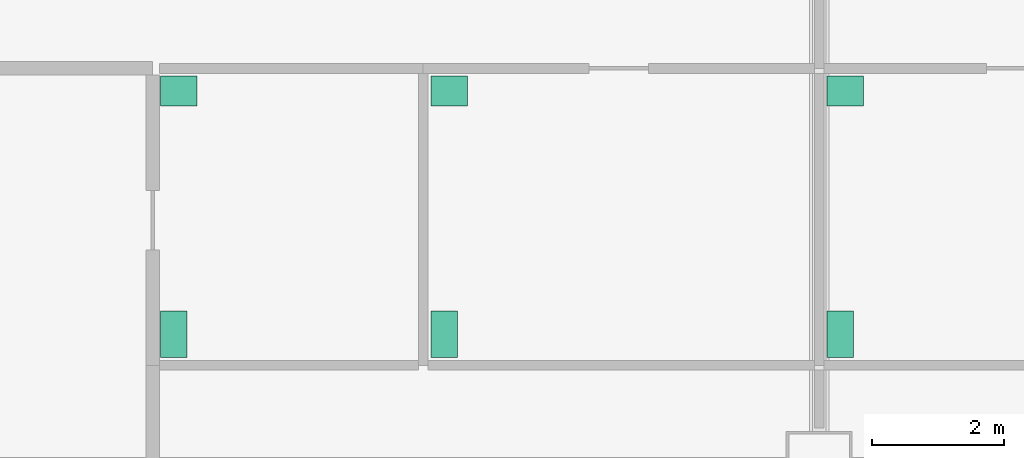
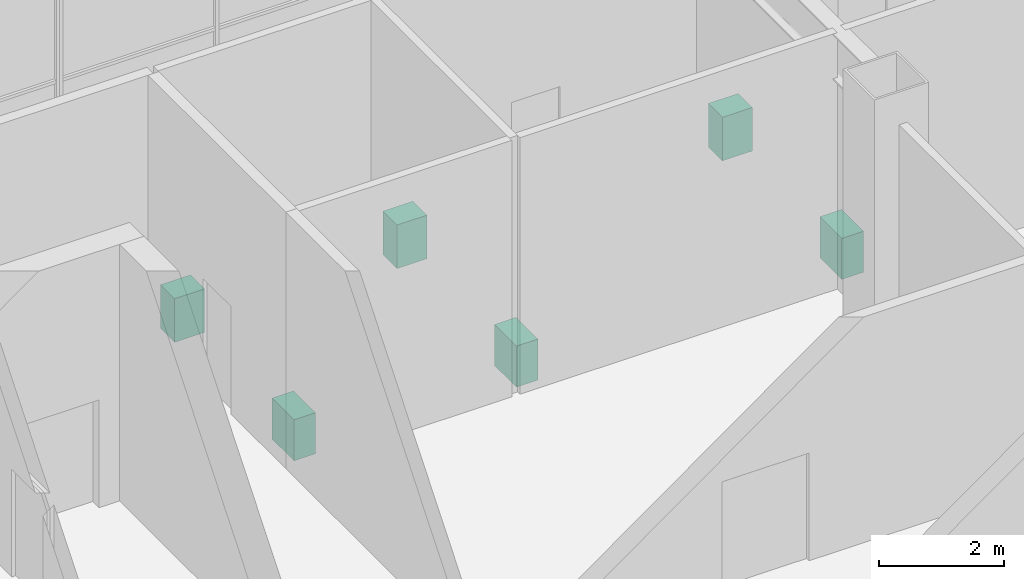
# One storey, part 15 of 15: 6 sanitary terminals.
"""IFC4 building model written with IfcOpenShell, lengths in metres."""

import ifcopenshell
import ifcopenshell.guid

model = None  # the IFC model being written
_history = None  # IfcOwnerHistory: only IFC2X3 demands one
_inside = {}  # id of a spatial element -> (the spatial element, [elements in it])
_under = {}  # id of a project, library or spatial element -> (it, [spatial elements below it])
_declared = {}  # id of a project -> (the project, [libraries it declares])
_typed = {}  # id of a type object -> (the type object, [elements of that type])
_made_of = {}  # id of a material, layer set ... -> (it, [elements and type objects made of it])


def new_model(schema):
    """Start an empty IFC model of exactly this schema.

    Asked for "IFC4X3", IfcOpenShell would pick the latest addendum, in which some entities
    have other attributes; the version numbers below select the first issue.
    IFC2X3 requires an IfcOwnerHistory on every rooted entity: one is made here for all.
    """
    global model, _history
    if schema == "IFC4X3":
        model = ifcopenshell.file(schema_version=(4, 3, 0, 0))
    else:
        model = ifcopenshell.file(schema=schema)
    _inside.clear()
    _under.clear()
    _declared.clear()
    _typed.clear()
    _made_of.clear()
    _history = None
    if model.schema == "IFC2X3":
        org = make("IfcOrganization", Name="unknown")
        user = make(
            "IfcPersonAndOrganization",
            ThePerson=make("IfcPerson", FamilyName="unknown"),
            TheOrganization=org,
        )
        app = make(
            "IfcApplication",
            ApplicationDeveloper=org,
            Version="unknown",
            ApplicationFullName="unknown",
            ApplicationIdentifier="unknown",
        )
        _history = make(
            "IfcOwnerHistory",
            OwningUser=user,
            OwningApplication=app,
            ChangeAction="ADDED",
            CreationDate=0,
        )
    return model


def make(cls, **values):
    """One entity of the class cls with the attributes given. An attribute that is None is left unset."""
    return model.create_entity(
        cls, **{name: value for name, value in values.items() if value is not None}
    )


def rooted(cls, **values):
    """An entity with a GlobalId (a new one), such as an element, a storey or a relation."""
    return make(cls, GlobalId=ifcopenshell.guid.new(), OwnerHistory=_history, **values)


def si_unit(unit_type, name, prefix=None):
    """IfcSIUnit, for example si_unit("LENGTHUNIT", "METRE", prefix="MILLI")."""
    return make("IfcSIUnit", UnitType=unit_type, Prefix=prefix, Name=name)


def assignment(units):
    """IfcUnitAssignment: the units of a project."""
    return None if units is None else make("IfcUnitAssignment", Units=units)


def point(xyz):
    """IfcCartesianPoint."""
    return None if xyz is None else make("IfcCartesianPoint", Coordinates=xyz)


def direction(xyz):
    """IfcDirection."""
    return None if xyz is None else make("IfcDirection", DirectionRatios=xyz)


def frame(location, z_axis=None, x_axis=None):
    """IfcAxis2Placement3D, a coordinate frame: its origin and axes. An axis left out is left unset."""
    return make(
        "IfcAxis2Placement3D",
        Location=point(location),
        Axis=direction(z_axis),
        RefDirection=direction(x_axis),
    )


def frame_2d(location, x_axis=None):
    """IfcAxis2Placement2D, a coordinate frame in the plane: its origin and x axis."""
    return make(
        "IfcAxis2Placement2D", Location=point(location), RefDirection=direction(x_axis)
    )


def origin():
    """The frame at (0, 0, 0) with its axes left unset."""
    return frame((0.0, 0.0, 0.0))


def origin_2d():
    """The frame at (0, 0) in the plane with its x axis left unset."""
    return frame_2d((0.0, 0.0))


def place(relative_to, where):
    """IfcLocalPlacement: puts the frame where relative to a parent placement (None: the world)."""
    return make(
        "IfcLocalPlacement", PlacementRelTo=relative_to, RelativePlacement=where
    )


def context(
    kind, dimensions, precision=None, world=None, true_north=None, identifier=None
):
    """IfcGeometricRepresentationContext, for example the 3D "Model" context."""
    return make(
        "IfcGeometricRepresentationContext",
        ContextIdentifier=identifier,
        ContextType=kind,
        CoordinateSpaceDimension=dimensions,
        Precision=precision,
        WorldCoordinateSystem=world,
        TrueNorth=true_north,
    )


def subcontext(parent, identifier, kind, view, scale=None):
    """IfcGeometricRepresentationSubContext, for example "Body" below "Model"."""
    return make(
        "IfcGeometricRepresentationSubContext",
        ContextIdentifier=identifier,
        ContextType=kind,
        ParentContext=parent,
        TargetScale=scale,
        TargetView=view,
    )


def project(units=None, contexts=None):
    """IfcProject with its units and contexts."""
    return rooted(
        "IfcProject",
        Name="project",
        RepresentationContexts=contexts,
        UnitsInContext=assignment(units),
    )


def spatial(cls, under=None, at=None, **own):
    """A site, building, storey or space (cls), placed at a placement, below another one or the project."""
    s = rooted(cls, ObjectPlacement=at, **own)
    if under is not None:
        _under.setdefault(under.id(), (under, []))[1].append(s)
    return s


def profile(cls, at=None, kind="AREA", **sizes):
    """A parametric profile (cls). Its sizes go by their IFC names, for example OverallWidth=200.0."""
    return make(cls, ProfileType=kind, Position=at, **sizes)


def rectangle(**sizes):
    """IfcRectangleProfileDef."""
    return profile("IfcRectangleProfileDef", **sizes)


def extrude(swept, where, along, depth):
    """IfcExtrudedAreaSolid: the profile swept, set in the frame where, extruded along a direction by depth."""
    return make(
        "IfcExtrudedAreaSolid",
        SweptArea=swept,
        Position=where,
        ExtrudedDirection=direction(along),
        Depth=depth,
    )


def shape(context_of_items, identifier, shape_type, items):
    """IfcShapeRepresentation: the items that make up one representation, for example the "Body"."""
    return make(
        "IfcShapeRepresentation",
        ContextOfItems=context_of_items,
        RepresentationIdentifier=identifier,
        RepresentationType=shape_type,
        Items=items,
    )


def material(Name=None, Category=None):
    """IfcMaterial."""
    return make("IfcMaterial", Name=Name, Category=Category)


def made_of(thing, what):
    """Note that an element or type object is made of a material, layer set ...; save() writes the relation."""
    if what is not None:
        _made_of.setdefault(what.id(), (what, []))[1].append(thing)
    return thing


def type_object(cls, material=None, **own):
    """A type object (cls), such as IfcWallType, which elements share."""
    return made_of(rooted(cls, **own), material)


def element(
    cls,
    number,
    at=None,
    inside=None,
    cuts=None,
    type_object=None,
    material=None,
    context=None,
    identifier="Body",
    shape_type=None,
    held_by="IfcProductDefinitionShape",
    body=None,
    shapes=None,
    **own,
):
    """One element of the class cls, such as IfcWall. Its Tag is "e" and its number.

    at: its placement. inside: the storey or other place that contains it. cuts: it is an
    opening in that element (IfcRelVoidsElement). A single representation is given by context,
    identifier, shape_type and body (its items); several are given by shapes. held_by: the class
    of the entity that holds the representations. save() writes the other relations.
    """
    e = rooted(cls, Tag="e%d" % number, ObjectPlacement=at, **own)
    if body is not None:
        shapes = [shape(context, identifier, shape_type, body)]
    if shapes is not None:
        e.Representation = make(held_by, Representations=shapes)
    if inside is not None:
        _inside.setdefault(inside.id(), (inside, []))[1].append(e)
    if cuts is not None:
        rooted(
            "IfcRelVoidsElement", RelatingBuildingElement=cuts, RelatedOpeningElement=e
        )
    if type_object is not None:
        _typed.setdefault(type_object.id(), (type_object, []))[1].append(e)
    return made_of(e, material)


def aggregate(whole, parts):
    """IfcRelAggregates: a whole, such as a stair, and the parts it consists of."""
    return rooted("IfcRelAggregates", RelatingObject=whole, RelatedObjects=parts)


def save(model, path):
    """Write the relations noted so far, then the file.

    IfcRelAggregates (storeys below a building ...), IfcRelContainedInSpatialStructure (elements
    in a storey), IfcRelDefinesByType, IfcRelAssociatesMaterial and IfcRelDeclares: one each for
    every whole, place, type object, material and project.
    """
    for whole, parts in _under.values():
        aggregate(whole, parts)
    for where, things in _inside.values():
        rooted(
            "IfcRelContainedInSpatialStructure",
            RelatedElements=things,
            RelatingStructure=where,
        )
    for kind, things in _typed.values():
        rooted("IfcRelDefinesByType", RelatedObjects=things, RelatingType=kind)
    for what, things in _made_of.values():
        rooted("IfcRelAssociatesMaterial", RelatedObjects=things, RelatingMaterial=what)
    for by, libraries in _declared.values():
        rooted("IfcRelDeclares", RelatingContext=by, RelatedDefinitions=libraries)
    model.write(path)


model = new_model("IFC4")

# Units and contexts
model_context = context("Model", 3, precision=1e-05, world=origin(), true_north=direction((0.0, 1.0)))
body_context = subcontext(model_context, "Body", "Model", "MODEL_VIEW")
ifc_project = project(units=[si_unit("LENGTHUNIT", "METRE"), si_unit("AREAUNIT", "SQUARE_METRE"), si_unit("VOLUMEUNIT", "CUBIC_METRE"), si_unit("PLANEANGLEUNIT", "RADIAN"), si_unit("MASSUNIT", "GRAM", prefix="KILO")], contexts=[model_context])

# Site, building, storey
site_placement = place(None, origin())
site = spatial("IfcSite", under=ifc_project, at=site_placement, CompositionType="ELEMENT")
building_placement = place(site_placement, origin())
building = spatial("IfcBuilding", under=site, at=building_placement, Name="Kitamizu Gate Tower and Museum", CompositionType="ELEMENT")
storey_placement = place(building_placement, frame((0.0, 0.0, 277.949951171875)))
storey = spatial("IfcBuildingStorey", under=building, at=storey_placement, Name="L75", CompositionType="ELEMENT", Elevation=277.949951171875)

# Sanitary terminals
ifc_material_1 = material(Name="Vitreous china")
sanitary_terminal_type_1 = type_object("IfcSanitaryTerminalType", Name="Wash hand basin", PredefinedType="WASHHANDBASIN", material=ifc_material_1)
for number, where, z_axis, x_axis, name in (
    (1, (26.294921875, 41.655029296875, 0.0009765625), (0.0, 0.0, 1.0), (1.0, 0.0, 0.0), "Wash hand basin Public WC"),
    (2, (30.39501953125, 41.655029296875, 0.0009765625), (0.0, 0.0, 1.0), (1.0, 0.0, 0.0), "Wash hand basin Accessible WC"),
    (3, (36.39501953125, 41.655029296875, 0.0009765625), (0.0, 0.0, 1.0), (1.0, 0.0, 0.0), "Wash hand basin Staff WC"),
):
    element("IfcSanitaryTerminal", number, at=place(storey_placement, frame(where, z_axis=z_axis, x_axis=x_axis)), inside=storey, type_object=sanitary_terminal_type_1, Name=name, PredefinedType="WASHHANDBASIN", context=body_context, shape_type="SweptSolid", body=[
        extrude(rectangle(XDim=0.550048828125, YDim=0.449951171875, at=origin_2d()), origin(), (0.0, 0.0, 1.0), 0.85009765625),
    ])
ifc_material_2 = material(Name="Vitreous china")
sanitary_terminal_type_2 = type_object("IfcSanitaryTerminalType", Name="Water closet", PredefinedType="TOILETPAN", material=ifc_material_2)
for number, where, z_axis, x_axis, name in (
    (4, (26.219970703125, 37.969970703125, 0.0009765625), (0.0, 0.0, 1.0), (1.0, 0.0, 0.0), "Water closet Public WC"),
    (5, (30.320068359375, 37.969970703125, 0.0009765625), (0.0, 0.0, 1.0), (1.0, 0.0, 0.0), "Water closet Accessible WC"),
    (6, (36.320068359375, 37.969970703125, 0.0009765625), (0.0, 0.0, 1.0), (1.0, 0.0, 0.0), "Water closet Staff WC"),
):
    element("IfcSanitaryTerminal", number, at=place(storey_placement, frame(where, z_axis=z_axis, x_axis=x_axis)), inside=storey, type_object=sanitary_terminal_type_2, Name=name, PredefinedType="TOILETPAN", context=body_context, shape_type="SweptSolid", body=[
        extrude(rectangle(XDim=0.39990234375, YDim=0.699951171875, at=origin_2d()), origin(), (0.0, 0.0, 1.0), 0.800048828125),
    ])

save(model, "model.ifc")
